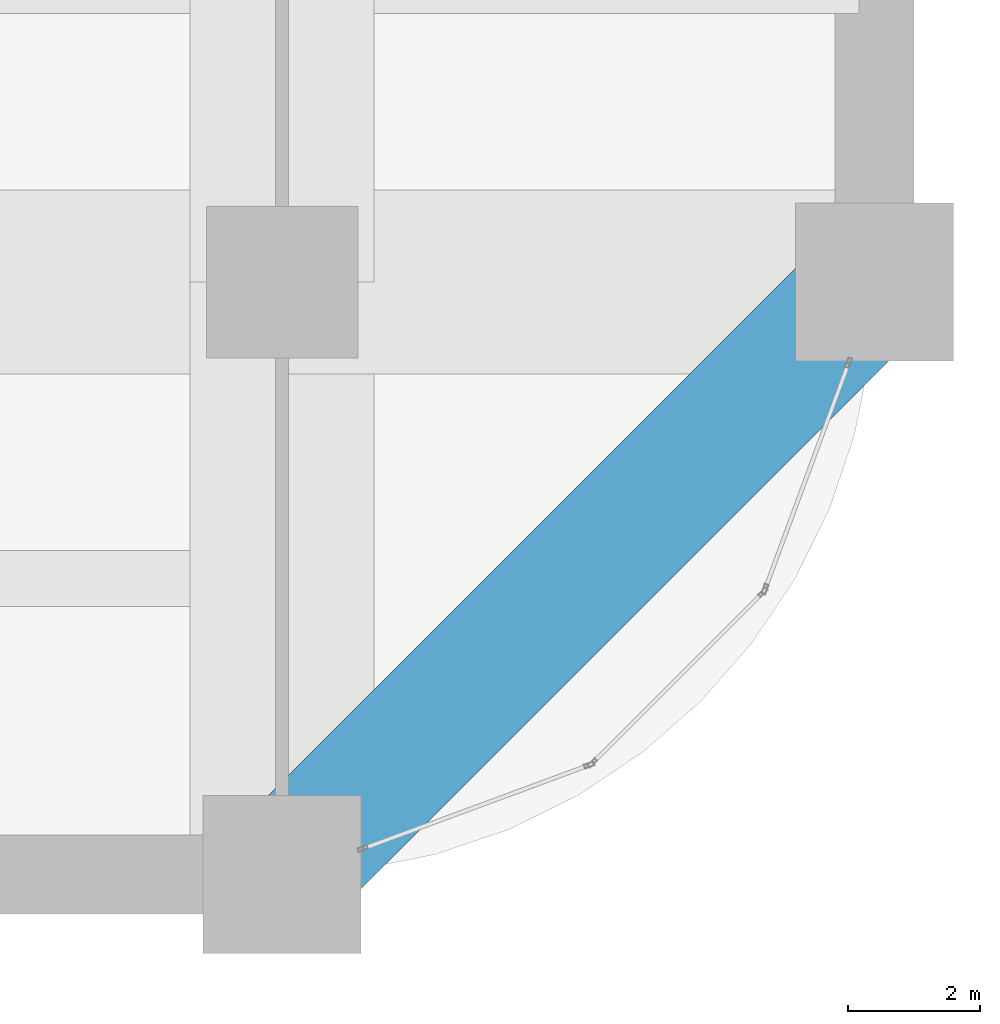
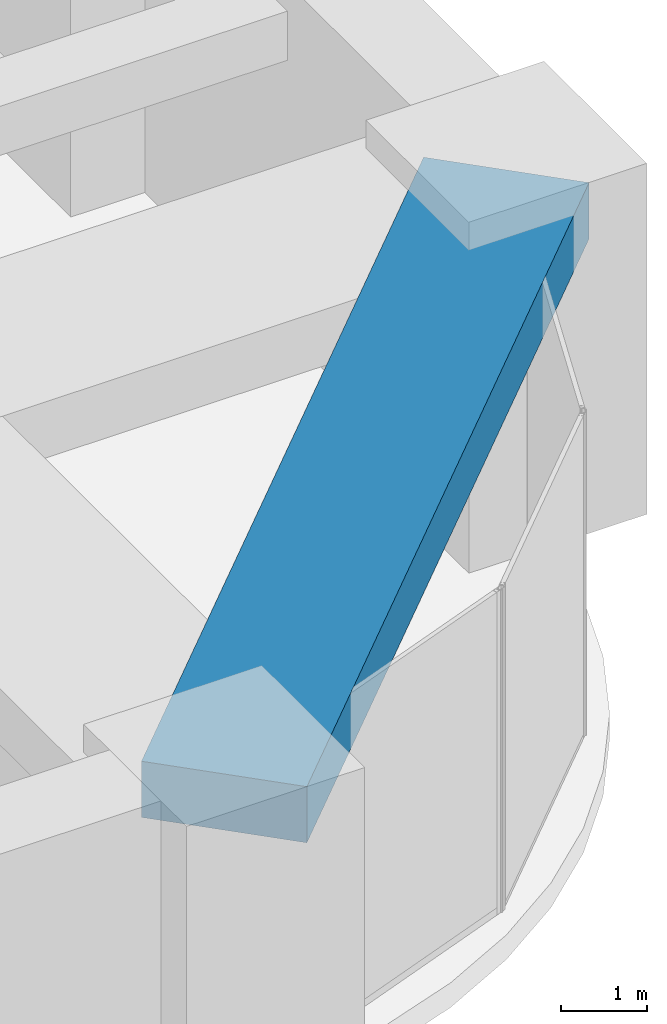
# One storey, part 14 of 35: 1 beam.
"""IFC4 building model written with IfcOpenShell, lengths in metres."""

from ifc_helpers import new_model, si_unit, direction, frame, origin, origin_2d, place, context, subcontext, project, spatial, rectangle, extrude, material, material_profile, profile_set, type_object, element, save


model = new_model("IFC4")

# Units and contexts
model_context = context("Model", 3, precision=1e-05, world=origin(), true_north=direction((0.0, 1.0)))
body_context = subcontext(model_context, "Body", "Model", "MODEL_VIEW")
ifc_project = project(units=[si_unit("LENGTHUNIT", "METRE"), si_unit("AREAUNIT", "SQUARE_METRE"), si_unit("VOLUMEUNIT", "CUBIC_METRE"), si_unit("PLANEANGLEUNIT", "RADIAN"), si_unit("MASSUNIT", "GRAM", prefix="KILO")], contexts=[model_context])

# Site, building, storey
site_placement = place(None, origin())
site = spatial("IfcSite", under=ifc_project, at=site_placement, CompositionType="ELEMENT")
building_placement = place(site_placement, origin())
building = spatial("IfcBuilding", under=site, at=building_placement, Name="Zorevar Civic Tower", CompositionType="ELEMENT")
storey_placement = place(building_placement, frame((0.0, 0.0, 80.0)))
storey = spatial("IfcBuildingStorey", under=building, at=storey_placement, Name="L19", CompositionType="ELEMENT", Elevation=80.0)

# Beam
ifc_material = material(Name="Concrete C50/60", Category="concrete")
ifc_material_profile = material_profile(ifc_material, rectangle(XDim=2.0, YDim=0.800048828125, at=origin_2d()), Name="RC 2000x800")
ifc_profile_set = profile_set([ifc_material_profile], Name="Concrete C50/60")
beam_type = type_object("IfcBeamType", Name="Edge beam RC 2000x800", PredefinedType="SPANDREL", material=ifc_profile_set)
beam_placement = place(storey_placement, frame((54.0, 0.0, 4.199951171875), z_axis=(0.707106781187, 0.707106781187, 0.0), x_axis=(-0.707106781187, 0.707106781187, 0.0)))
element("IfcBeam", 1, at=beam_placement, inside=storey, type_object=beam_type, Name="Corner edge beam L20", PredefinedType="SPANDREL", context=body_context, shape_type="SweptSolid", body=[
    extrude(rectangle(XDim=2.0, YDim=0.800048828125, at=origin_2d()), origin(), (0.0, 0.0, 1.0), 12.72802734375),
])

save(model, "model.ifc")
